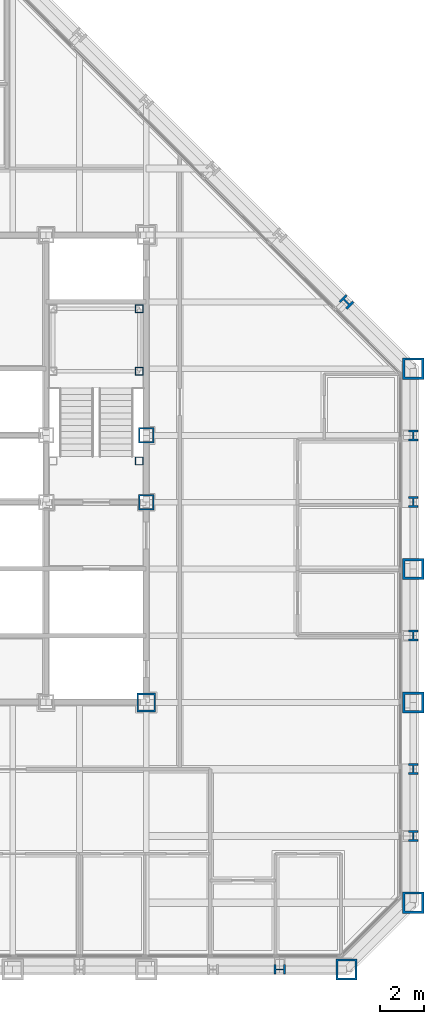
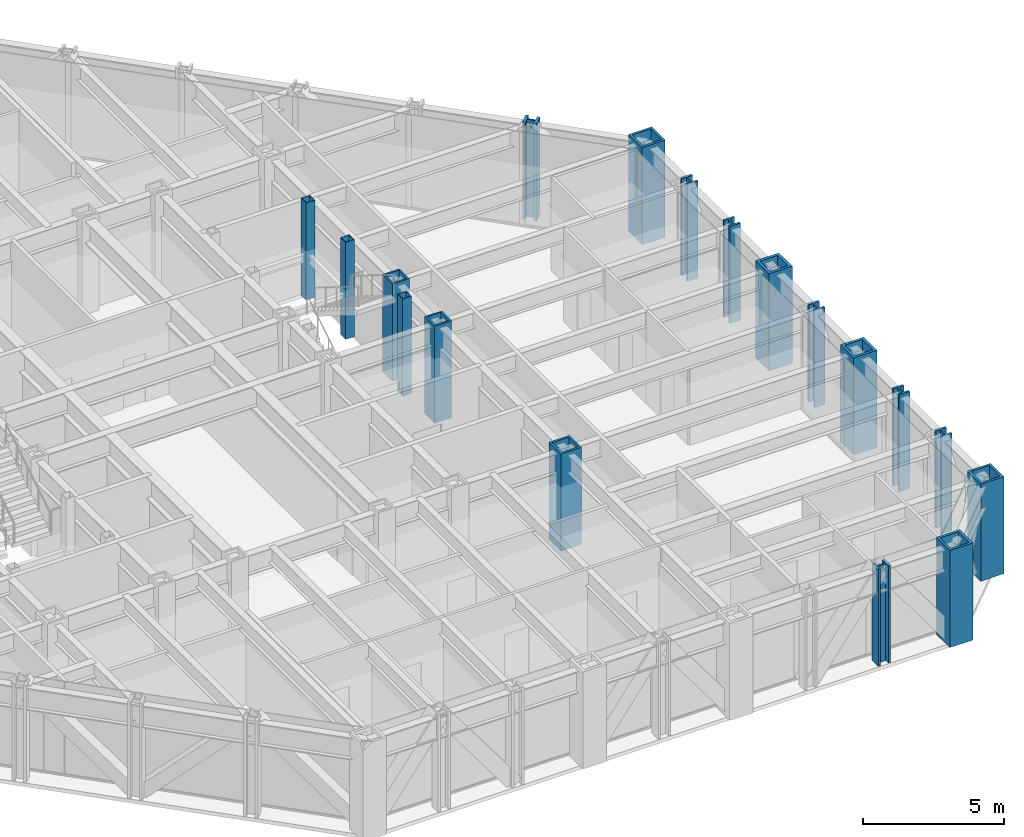
# One storey, part 2 of 16: 18 columns.
"""IFC4 building model written with IfcOpenShell, lengths in metres."""

from ifc_helpers import new_model, si_unit, direction, frame, origin, origin_2d, place, context, subcontext, project, spatial, hollow_rectangle, i_section, extrude, material, material_profile, profile_set, type_object, element, save


model = new_model("IFC4")

# Units and contexts
model_context = context("Model", 3, precision=1e-05, world=origin(), true_north=direction((0.0, 1.0)))
body_context = subcontext(model_context, "Body", "Model", "MODEL_VIEW")
ifc_project = project(units=[si_unit("LENGTHUNIT", "METRE"), si_unit("AREAUNIT", "SQUARE_METRE"), si_unit("VOLUMEUNIT", "CUBIC_METRE"), si_unit("PLANEANGLEUNIT", "RADIAN"), si_unit("MASSUNIT", "GRAM", prefix="KILO")], contexts=[model_context])

# Site, building, storey
site_placement = place(None, origin())
site = spatial("IfcSite", under=ifc_project, at=site_placement, CompositionType="ELEMENT")
building_placement = place(site_placement, origin())
building = spatial("IfcBuilding", under=site, at=building_placement, Name="Chuquiago Exchange Tower", CompositionType="ELEMENT")
storey_placement = place(building_placement, frame((0.0, 0.0, 106.800048828125)))
storey = spatial("IfcBuildingStorey", under=building, at=storey_placement, Name="L22", CompositionType="ELEMENT", Elevation=106.800048828125)

# Columns
ifc_material_1 = material(Name="Steel ASTM A992", Category="steel")
ifc_material_profile_1 = material_profile(ifc_material_1, i_section(OverallWidth=0.431884765625, OverallDepth=0.497802734375, WebThickness=0.0556640625, FlangeThickness=0.0888671875, at=origin_2d()), Name="W14X500")
ifc_profile_set_1 = profile_set([ifc_material_profile_1], Name="Steel ASTM A992")
column_type_1 = type_object("IfcColumnType", Name="C3 W14X500", PredefinedType="COLUMN", material=ifc_profile_set_1)
for number, where, z_axis, x_axis, name in (
    (1, (39.0, 0.0, 0.0), (0.0, 0.0, 1.0), (0.0, -1.0, 0.0), "COL-L22-39_0"),
    (2, (45.0, 6.0, 0.0), (0.0, 0.0, 1.0), (1.0, 0.0, 0.0), "COL-L22-45_6"),
    (3, (45.0, 9.0, 0.0), (0.0, 0.0, 1.0), (1.0, 0.0, 0.0), "COL-L22-45_9"),
    (4, (45.0, 15.0, 0.0), (0.0, 0.0, 1.0), (1.0, 0.0, 0.0), "COL-L22-45_15"),
    (5, (45.0, 21.0, 0.0), (0.0, 0.0, 1.0), (1.0, 0.0, 0.0), "COL-L22-45_21"),
    (6, (45.0, 24.0, 0.0), (0.0, 0.0, 1.0), (1.0, 0.0, 0.0), "COL-L22-45_24"),
):
    element("IfcColumn", number, at=place(storey_placement, frame(where, z_axis=z_axis, x_axis=x_axis)), inside=storey, type_object=column_type_1, Name=name, PredefinedType="COLUMN", context=body_context, shape_type="SweptSolid", body=[
        extrude(i_section(OverallWidth=0.431884765625, OverallDepth=0.497802734375, WebThickness=0.0556640625, FlangeThickness=0.0888671875, at=origin_2d()), origin(), (0.0, 0.0, 1.0), 4.199951171875),
    ])
ifc_material_2 = material(Name="Steel ASTM A572 Grade 50", Category="steel")
ifc_material_profile_2 = material_profile(ifc_material_2, hollow_rectangle(XDim=0.699951171875, YDim=0.699951171875, WallThickness=0.070068359375, at=origin_2d()), Name="BOX700X700X70")
ifc_profile_set_2 = profile_set([ifc_material_profile_2], Name="Steel ASTM A572 Grade 50")
column_type_2 = type_object("IfcColumnType", Name="CC3 BOX700X700X70", PredefinedType="COLUMN", material=ifc_profile_set_2)
for number, where, z_axis, x_axis, name in (
    (7, (33.0, 21.0, 0.0), (0.0, 0.0, 1.0), (1.0, 0.0, 0.0), "CCOL-L22-33_21"),
    (8, (33.0, 24.0, 0.0), (0.0, 0.0, 1.0), (1.0, 0.0, 0.0), "CCOL-L22-33_24"),
):
    element("IfcColumn", number, at=place(storey_placement, frame(where, z_axis=z_axis, x_axis=x_axis)), inside=storey, type_object=column_type_2, Name=name, PredefinedType="COLUMN", context=body_context, shape_type="SweptSolid", body=[
        extrude(hollow_rectangle(XDim=0.699951171875, YDim=0.699951171875, WallThickness=0.070068359375, at=origin_2d()), origin(), (0.0, 0.0, 1.0), 4.199951171875),
    ])
ifc_material_3 = material(Name="Steel ASTM A572 Grade 50", Category="steel")
ifc_material_profile_3 = material_profile(ifc_material_3, hollow_rectangle(XDim=0.85009765625, YDim=0.85009765625, WallThickness=0.0849609375, at=origin_2d()), Name="BOX850X850X85")
ifc_profile_set_3 = profile_set([ifc_material_profile_3], Name="Steel ASTM A572 Grade 50")
column_type_3 = type_object("IfcColumnType", Name="CC6 BOX850X850X85", PredefinedType="COLUMN", material=ifc_profile_set_3)
column_1_placement = place(storey_placement, frame((33.0, 12.0, 0.0), z_axis=(0.0, 0.0, 1.0), x_axis=(1.0, 0.0, 0.0)))
element("IfcColumn", 9, at=column_1_placement, inside=storey, type_object=column_type_3, Name="CCOL-L22-33_12", PredefinedType="COLUMN", context=body_context, shape_type="SweptSolid", body=[
    extrude(hollow_rectangle(XDim=0.85009765625, YDim=0.85009765625, WallThickness=0.0849609375, at=origin_2d()), origin(), (0.0, 0.0, 1.0), 4.199951171875),
])
ifc_material_4 = material(Name="Steel ASTM A992", Category="steel")
ifc_material_profile_4 = material_profile(ifc_material_4, i_section(OverallWidth=0.44189453125, OverallDepth=0.53076171875, WebThickness=0.06591796875, FlangeThickness=0.105712890625, at=origin_2d()), Name="W14X605")
ifc_profile_set_4 = profile_set([ifc_material_profile_4], Name="Steel ASTM A992")
column_type_4 = type_object("IfcColumnType", Name="CK3 W14X605", PredefinedType="COLUMN", material=ifc_profile_set_4)
column_2_placement = place(storey_placement, frame((42.0, 30.0, 0.0), z_axis=(0.0, 0.0, 1.0), x_axis=(0.707106781187, 0.707106781187, 0.0)))
element("IfcColumn", 10, at=column_2_placement, inside=storey, type_object=column_type_4, Name="COL-L22-42_30", PredefinedType="COLUMN", context=body_context, shape_type="SweptSolid", body=[
    extrude(i_section(OverallWidth=0.44189453125, OverallDepth=0.53076171875, WebThickness=0.06591796875, FlangeThickness=0.105712890625, at=origin_2d()), origin(), (0.0, 0.0, 1.0), 4.199951171875),
])
ifc_material_5 = material(Name="Steel ASTM A572 Grade 50", Category="steel")
ifc_material_profile_5 = material_profile(ifc_material_5, hollow_rectangle(XDim=0.949951171875, YDim=0.949951171875, WallThickness=0.094970703125, at=origin_2d()), Name="BOX950X950X95")
ifc_profile_set_5 = profile_set([ifc_material_profile_5], Name="Steel ASTM A572 Grade 50")
column_type_5 = type_object("IfcColumnType", Name="CN1 BOX950X950X95", PredefinedType="COLUMN", material=ifc_profile_set_5)
for number, where, z_axis, x_axis, name in (
    (11, (42.0, 0.0, 0.0), (0.0, 0.0, 1.0), (0.0, -1.0, 0.0), "COL-L22-42_0"),
    (12, (45.0, 3.0, 0.0), (0.0, 0.0, 1.0), (1.0, 0.0, 0.0), "COL-L22-45_3"),
    (13, (45.0, 27.0, 0.0), (0.0, 0.0, 1.0), (1.0, 0.0, 0.0), "COL-L22-45_27"),
):
    element("IfcColumn", number, at=place(storey_placement, frame(where, z_axis=z_axis, x_axis=x_axis)), inside=storey, type_object=column_type_5, Name=name, PredefinedType="COLUMN", context=body_context, shape_type="SweptSolid", body=[
        extrude(hollow_rectangle(XDim=0.949951171875, YDim=0.949951171875, WallThickness=0.094970703125, at=origin_2d()), origin(), (0.0, 0.0, 1.0), 4.199951171875),
    ])
ifc_material_6 = material(Name="Steel ASTM A572 Grade 42", Category="steel")
ifc_material_profile_6 = material_profile(ifc_material_6, hollow_rectangle(XDim=0.949951171875, YDim=0.949951171875, WallThickness=0.110107421875, at=origin_2d()), Name="BOX950X950X110")
ifc_profile_set_6 = profile_set([ifc_material_profile_6], Name="Steel ASTM A572 Grade 42")
column_type_6 = type_object("IfcColumnType", Name="CT1 BOX950X950X110", PredefinedType="COLUMN", material=ifc_profile_set_6)
for number, where, z_axis, x_axis, name in (
    (14, (45.0, 12.0, 0.0), (0.0, 0.0, 1.0), (1.0, 0.0, 0.0), "COL-L22-45_12"),
    (15, (45.0, 18.0, 0.0), (0.0, 0.0, 1.0), (1.0, 0.0, 0.0), "COL-L22-45_18"),
):
    element("IfcColumn", number, at=place(storey_placement, frame(where, z_axis=z_axis, x_axis=x_axis)), inside=storey, type_object=column_type_6, Name=name, PredefinedType="COLUMN", context=body_context, shape_type="SweptSolid", body=[
        extrude(hollow_rectangle(XDim=0.949951171875, YDim=0.949951171875, WallThickness=0.110107421875, at=origin_2d()), origin(), (0.0, 0.0, 1.0), 4.199951171875),
    ])
ifc_material_7 = material(Name="Steel ASTM A500 Grade C", Category="steel")
ifc_material_profile_7 = material_profile(ifc_material_7, hollow_rectangle(XDim=0.355712890625, YDim=0.355712890625, WallThickness=0.0146484375, at=origin_2d()), Name="HSS14X14X5/8")
ifc_profile_set_7 = profile_set([ifc_material_profile_7], Name="Steel ASTM A500 Grade C")
column_type_7 = type_object("IfcColumnType", Name="PT2 HSS14X14X5/8", PredefinedType="COLUMN", material=ifc_profile_set_7)
for number, where, z_axis, x_axis, name in (
    (16, (32.68994140625, 29.68994140625, 0.0), (0.0, 0.0, 1.0), (1.0, 0.0, 0.0), "Stair ST2 L22 landing post"),
    (17, (32.68994140625, 26.889892578125, 0.0), (0.0, 0.0, 1.0), (1.0, 0.0, 0.0), "Stair ST2 L22 landing post"),
    (18, (32.68994140625, 22.85009765625, 0.0), (0.0, 0.0, 1.0), (1.0, 0.0, 0.0), "Stair ST2 L22 landing post"),
):
    element("IfcColumn", number, at=place(storey_placement, frame(where, z_axis=z_axis, x_axis=x_axis)), inside=storey, type_object=column_type_7, Name=name, PredefinedType="COLUMN", context=body_context, shape_type="SweptSolid", body=[
        extrude(hollow_rectangle(XDim=0.355712890625, YDim=0.355712890625, WallThickness=0.0146484375, at=origin_2d()), origin(), (0.0, 0.0, 1.0), 4.199951171875),
    ])

save(model, "model.ifc")
